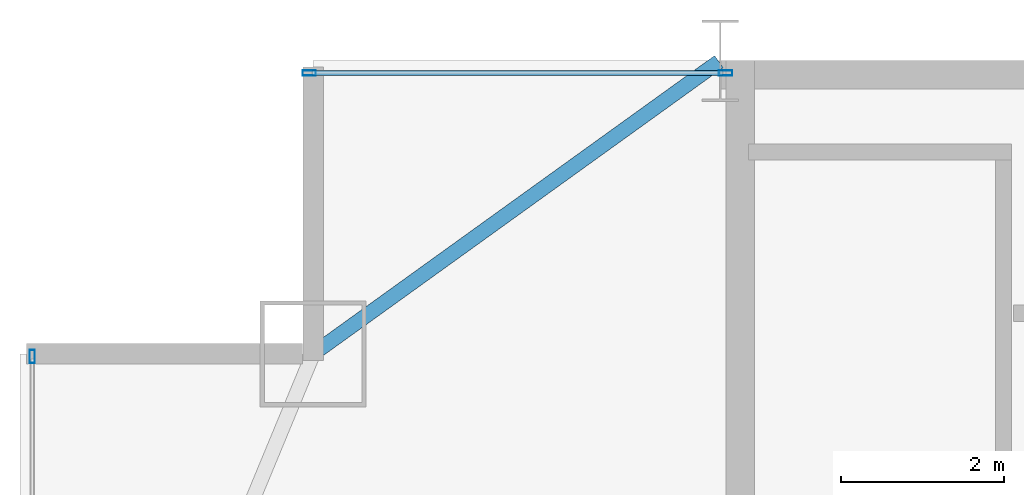
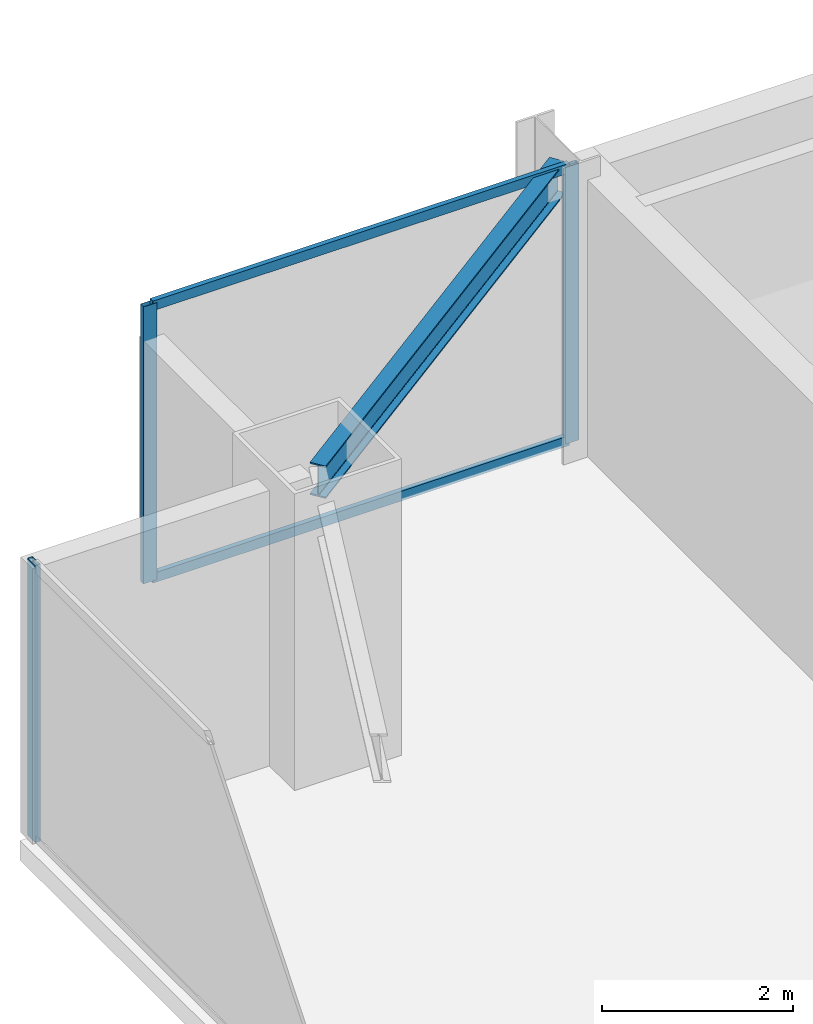
# One storey, part 20 of 31: 5 members, 1 beam, 2 elements without a shape of their own.
"""IFC4 building model written with IfcOpenShell, lengths in metres."""

from ifc_helpers import new_model, si_unit, direction, frame, origin, origin_2d, place, context, subcontext, project, spatial, hollow_rectangle, i_section, extrude, source, transform, mapped, material, layer, layer_set, material_profile, profile_set, type_object, type_shapes, element, aggregate, save


model = new_model("IFC4")

# Units and contexts
model_context = context("Model", 3, precision=1e-05, world=origin(), true_north=direction((0.0, 1.0)))
body_context = subcontext(model_context, "Body", "Model", "MODEL_VIEW")
ifc_project = project(units=[si_unit("LENGTHUNIT", "METRE"), si_unit("AREAUNIT", "SQUARE_METRE"), si_unit("VOLUMEUNIT", "CUBIC_METRE"), si_unit("PLANEANGLEUNIT", "RADIAN"), si_unit("MASSUNIT", "GRAM", prefix="KILO")], contexts=[model_context])

# Site, building, storey
site_placement = place(None, origin())
site = spatial("IfcSite", under=ifc_project, at=site_placement, CompositionType="ELEMENT")
building_placement = place(site_placement, origin())
building = spatial("IfcBuilding", under=site, at=building_placement, Name="Varnel Quay Broadcast Tower", CompositionType="ELEMENT")
storey_placement = place(building_placement, frame((0.0, 0.0, 183.800048828125)))
storey = spatial("IfcBuildingStorey", under=building, at=storey_placement, Name="L45", CompositionType="ELEMENT", Elevation=183.800048828125)

# Beam
ifc_material_1 = material(Name="Structural Steel CSA G40.21 350W", Category="steel")
ifc_material_profile_1 = material_profile(ifc_material_1, i_section(OverallWidth=0.180908203125, OverallDepth=0.4169921875, WebThickness=0.010986328125, FlangeThickness=0.018310546875, FilletRadius=0.011962890625, at=origin_2d()), Name="W410X85")
ifc_profile_set_1 = profile_set([ifc_material_profile_1], Name="Structural Steel CSA G40.21 350W")
beam_type = type_object("IfcBeamType", Name="Beam_W410X85", PredefinedType="SPANDREL", material=ifc_profile_set_1)
shared_shape_1 = source(origin(), body_context, "Body", "SweptSolid", [
    extrude(i_section(OverallWidth=0.180908203125, OverallDepth=0.4169921875, WebThickness=0.010986328125, FlangeThickness=0.018310546875, FilletRadius=0.011962890625, at=origin_2d()), origin(), (0.0, 0.0, 1.0), 6.12109375),
])
type_shapes(beam_type, [shared_shape_1])
beam_placement = place(storey_placement, frame((10.6162109375, 43.211669921875, 3.341552734375), z_axis=(0.811531315425, 0.584308928637, 0.0), x_axis=(-0.584308928637, 0.811531315425, 0.0)))
element("IfcBeam", 1, at=beam_placement, inside=storey, type_object=beam_type, Name="L45 NW Tie Spandrel", PredefinedType="SPANDREL", context=body_context, shape_type="MappedRepresentation", body=[
    mapped(shared_shape_1, transform((0.0, 0.0, 0.0), x_axis=(1.0, 0.0, 0.0), y_axis=(0.0, 1.0, 0.0), z_axis=(0.0, 0.0, 1.0), scale=1.0)),
])

# Curtain wall, member
ifc_material_2 = material(Name="Anodised Bronze Aluminium 6063-T6", Category="aluminium")
ifc_layer = layer(ifc_material_2, 0.18994140625, Name="Anodised Bronze Aluminium 6063-T6")
ifc_layer_set = layer_set([ifc_layer], Name="Anodised Bronze Aluminium 6063-T6")
curtain_wall_type = type_object("IfcCurtainWallType", Name="CW_UpperTower", PredefinedType="NOTDEFINED", material=ifc_layer_set)
curtain_wall_1_placement = place(storey_placement, origin())
curtain_wall_1 = element("IfcCurtainWall", 2, at=curtain_wall_1_placement, inside=storey, type_object=curtain_wall_type, Name="L45 West Unitised Curtain Wall", PredefinedType="NOTDEFINED")
ifc_material_profile_2 = material_profile(ifc_material_2, hollow_rectangle(XDim=0.06494140625, YDim=0.1650390625, WallThickness=0.00341796875, at=origin_2d()), Name="ALU65X165X3.5")
ifc_profile_set_2 = profile_set([ifc_material_profile_2], Name="Anodised Bronze Aluminium 6063-T6")
member_type_1 = type_object("IfcMemberType", Name="Mull_CWS-03", PredefinedType="MULLION", material=ifc_profile_set_2)
shared_shape_2 = source(origin(), body_context, "Body", "SweptSolid", [
    extrude(hollow_rectangle(XDim=0.06494140625, YDim=0.1650390625, WallThickness=0.00341796875, at=origin_2d()), origin(), (0.0, 0.0, 1.0), 3.550048828125),
])
type_shapes(member_type_1, [shared_shape_2])
member_1_placement = place(storey_placement, frame((7.14990234375, 43.16748046875, 0.0), z_axis=(0.0, 0.0, 1.0), x_axis=(-1.0, 0.0, 0.0)))
member_1 = element("IfcMember", 3, at=member_1_placement, type_object=member_type_1, Name="CWS-03 mullion 4", PredefinedType="MULLION", context=body_context, shape_type="MappedRepresentation", body=[
    mapped(shared_shape_2, transform((0.0, 0.0, 0.0), x_axis=(1.0, 0.0, 0.0), y_axis=(0.0, 1.0, 0.0), z_axis=(0.0, 0.0, 1.0), scale=1.0)),
])
aggregate(curtain_wall_1, [member_1])

# Curtain wall, members
curtain_wall_2_placement = place(storey_placement, origin())
curtain_wall_2 = element("IfcCurtainWall", 4, at=curtain_wall_2_placement, inside=storey, type_object=curtain_wall_type, Name="L45 NW Wing Curtain Wall", PredefinedType="NOTDEFINED")
member_2_placement = place(storey_placement, frame((10.552490234375, 46.64990234375, 0.0), z_axis=(0.0, 0.0, 1.0), x_axis=(0.0, 1.0, 0.0)))
member_2 = element("IfcMember", 5, at=member_2_placement, type_object=member_type_1, Name="CWS-03 mullion 1", PredefinedType="MULLION", context=body_context, shape_type="MappedRepresentation", body=[
    mapped(shared_shape_2, transform((0.0, 0.0, 0.0), x_axis=(1.0, 0.0, 0.0), y_axis=(0.0, 1.0, 0.0), z_axis=(0.0, 0.0, 1.0), scale=1.0)),
])
member_3_placement = place(storey_placement, frame((15.66748046875, 46.64990234375, 0.0), z_axis=(0.0, 0.0, 1.0), x_axis=(0.0, 1.0, 0.0)))
member_3 = element("IfcMember", 6, at=member_3_placement, type_object=member_type_1, Name="CWS-03 mullion 2", PredefinedType="MULLION", context=body_context, shape_type="MappedRepresentation", body=[
    mapped(shared_shape_2, transform((0.0, 0.0, 0.0), x_axis=(1.0, 0.0, 0.0), y_axis=(0.0, 1.0, 0.0), z_axis=(0.0, 0.0, 1.0), scale=1.0)),
])
ifc_material_profile_3 = material_profile(ifc_material_2, hollow_rectangle(XDim=0.06005859375, YDim=0.125, WallThickness=0.0029296875, at=origin_2d()), Name="ALU60X125X3")
ifc_profile_set_3 = profile_set([ifc_material_profile_3], Name="Anodised Bronze Aluminium 6063-T6")
member_type_2 = type_object("IfcMemberType", Name="Tran_CWS-03", PredefinedType="USERDEFINED", material=ifc_profile_set_3)
shared_shape_3 = source(origin(), body_context, "Body", "SweptSolid", [
    extrude(hollow_rectangle(XDim=0.06005859375, YDim=0.125, WallThickness=0.0029296875, at=origin_2d()), origin(), (0.0, 0.0, 1.0), 5.050048828125),
])
type_shapes(member_type_2, [shared_shape_3])
member_4_placement = place(storey_placement, frame((10.5849609375, 46.64990234375, 0.030029296875), z_axis=(1.0, 0.0, 0.0), x_axis=(0.0, 1.0, 0.0)))
member_4 = element("IfcMember", 7, at=member_4_placement, type_object=member_type_2, Name="CWS-03 transom 1.1", ObjectType="TRANSOM", PredefinedType="USERDEFINED", context=body_context, shape_type="MappedRepresentation", body=[
    mapped(shared_shape_3, transform((0.0, 0.0, 0.0), x_axis=(1.0, 0.0, 0.0), y_axis=(0.0, 1.0, 0.0), z_axis=(0.0, 0.0, 1.0), scale=1.0)),
])
member_5_placement = place(storey_placement, frame((10.5849609375, 46.64990234375, 3.52001953125), z_axis=(1.0, 0.0, 0.0), x_axis=(0.0, 1.0, 0.0)))
member_5 = element("IfcMember", 8, at=member_5_placement, type_object=member_type_2, Name="CWS-03 transom 1.2", ObjectType="TRANSOM", PredefinedType="USERDEFINED", context=body_context, shape_type="MappedRepresentation", body=[
    mapped(shared_shape_3, transform((0.0, 0.0, 0.0), x_axis=(1.0, 0.0, 0.0), y_axis=(0.0, 1.0, 0.0), z_axis=(0.0, 0.0, 1.0), scale=1.0)),
])
aggregate(curtain_wall_2, [member_2, member_3, member_4, member_5])

save(model, "model.ifc")
